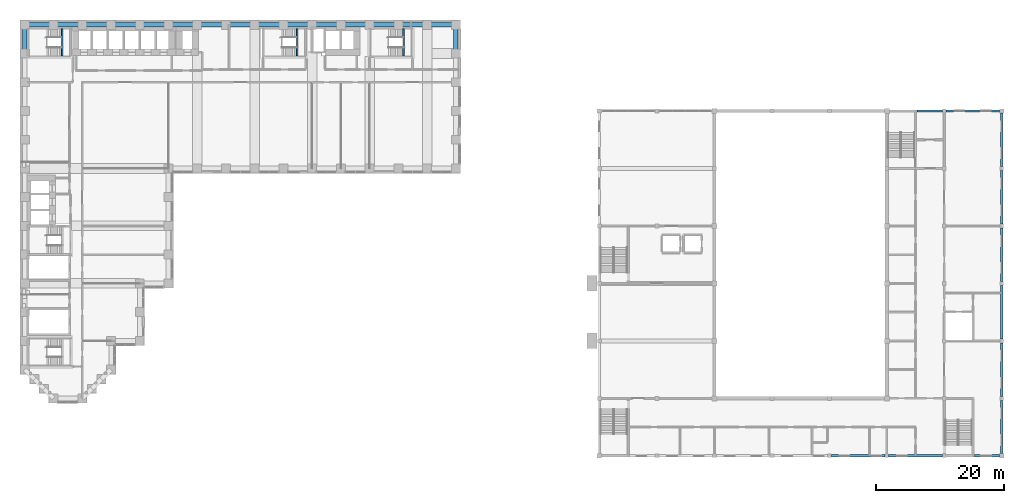
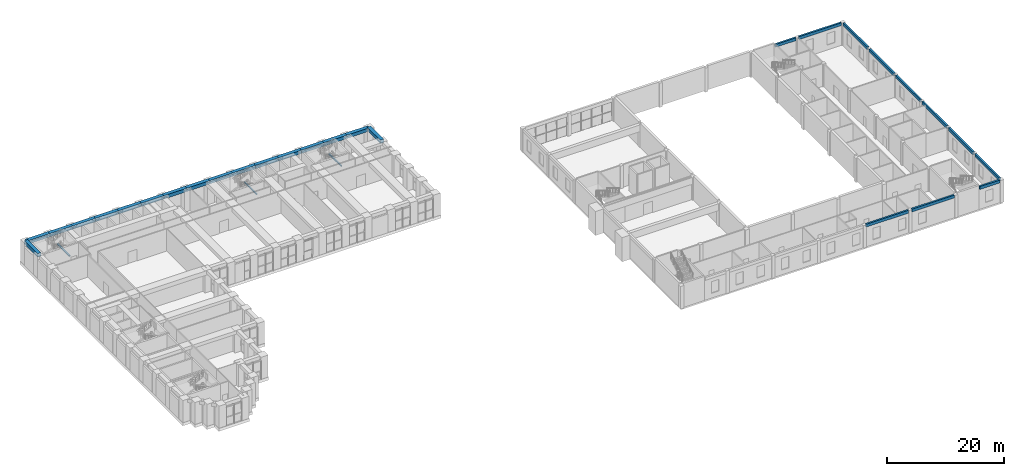
# One storey, part 11 of 30: 31 beams.
"""IFC4 building model written with IfcOpenShell, lengths in metres."""

from ifc_helpers import new_model, si_unit, direction, frame, origin, origin_2d, place, context, subcontext, project, spatial, rectangle, extrude, material, material_profile, profile_set, type_object, element, save


model = new_model("IFC4")

# Units and contexts
model_context = context("Model", 3, precision=1e-05, world=origin(), true_north=direction((0.0, 1.0)))
body_context = subcontext(model_context, "Body", "Model", "MODEL_VIEW")
ifc_project = project(units=[si_unit("LENGTHUNIT", "METRE"), si_unit("AREAUNIT", "SQUARE_METRE"), si_unit("VOLUMEUNIT", "CUBIC_METRE"), si_unit("PLANEANGLEUNIT", "RADIAN"), si_unit("MASSUNIT", "GRAM", prefix="KILO")], contexts=[model_context])

# Site, building, storey
site_placement = place(None, origin())
site = spatial("IfcSite", under=ifc_project, at=site_placement, CompositionType="ELEMENT")
building_placement = place(site_placement, origin())
building = spatial("IfcBuilding", under=site, at=building_placement, Name="Firuza Court", CompositionType="ELEMENT")
storey_placement = place(building_placement, frame((0.0, 0.0, 9.0)))
storey = spatial("IfcBuildingStorey", under=building, at=storey_placement, Name="L01", CompositionType="ELEMENT", Elevation=9.0)

# Beams
ifc_material_1 = material(Name="Concrete C40/50", Category="concrete")
ifc_material_profile_1 = material_profile(ifc_material_1, rectangle(XDim=0.25, YDim=0.25, at=origin_2d()), Name="RC 250x250")
ifc_profile_set_1 = profile_set([ifc_material_profile_1], Name="Concrete C40/50")
beam_type_1 = type_object("IfcBeamType", Name="Landing beam RC 250x250 C40/50", PredefinedType="BEAM", material=ifc_profile_set_1)
for number, where, z_axis, x_axis, name in (
    (1, (42.625, 53.64990234375, 2.175048828125), (0.0, 1.0, 0.0), (-1.0, 0.0, 0.0), "Landing beam S1 L01"),
    (2, (5.824951171875, 53.64990234375, 2.175048828125), (0.0, 1.0, 0.0), (-1.0, 0.0, 0.0), "Landing beam S3 L01"),
    (3, (59.324951171875, 53.64990234375, 2.175048828125), (0.0, 1.0, 0.0), (-1.0, 0.0, 0.0), "Landing beam S4 L01"),
):
    element("IfcBeam", number, at=place(storey_placement, frame(where, z_axis=z_axis, x_axis=x_axis)), inside=storey, type_object=beam_type_1, Name=name, PredefinedType="BEAM", context=body_context, shape_type="SweptSolid", body=[
        extrude(rectangle(XDim=0.25, YDim=0.25, at=origin_2d()), origin(), (0.0, 0.0, 1.0), 4.2001953125),
    ])
ifc_material_2 = material(Name="Concrete C40/50", Category="concrete")
ifc_material_profile_2 = material_profile(ifc_material_2, rectangle(XDim=0.35009765625, YDim=0.60009765625, at=origin_2d()), Name="RC 350X600")
ifc_profile_set_2 = profile_set([ifc_material_profile_2], Name="Concrete C40/50")
beam_type_2 = type_object("IfcBeamType", Name="RC RING BEAM 350X600", PredefinedType="BEAM", material=ifc_profile_set_2)
for number, where, z_axis, x_axis, name in (
    (4, (126.300048828125, -9.0, 4.39990234375), (1.0, 0.0, 0.0), (0.0, 1.0, 0.0), "Edge beam S2.1 L01"),
    (5, (135.300048828125, -9.0, 4.39990234375), (1.0, 0.0, 0.0), (0.0, 1.0, 0.0), "Edge beam S4.1 L01"),
):
    element("IfcBeam", number, at=place(storey_placement, frame(where, z_axis=z_axis, x_axis=x_axis)), inside=storey, type_object=beam_type_2, Name=name, PredefinedType="BEAM", context=body_context, shape_type="SweptSolid", body=[
        extrude(rectangle(XDim=0.35009765625, YDim=0.60009765625, at=origin_2d()), origin(), (0.0, 0.0, 1.0), 8.39990234375),
    ])
beam_1_placement = place(storey_placement, frame((139.699951171875, 45.0, 4.39990234375), z_axis=(1.0, 0.0, 0.0), x_axis=(0.0, 1.0, 0.0)))
element("IfcBeam", 6, at=beam_1_placement, inside=storey, type_object=beam_type_2, Name="Edge beam N5.1 L01", PredefinedType="BEAM", context=body_context, shape_type="SweptSolid", body=[
    extrude(rectangle(XDim=0.35009765625, YDim=0.60009765625, at=origin_2d()), origin(), (0.0, 0.0, 1.0), 4.0),
])
beam_2_placement = place(storey_placement, frame((148.699951171875, -9.0, 4.39990234375), z_axis=(1.0, 0.0, 0.0), x_axis=(0.0, 1.0, 0.0)))
element("IfcBeam", 7, at=beam_2_placement, inside=storey, type_object=beam_type_2, Name="Edge beam S6.1 L01", PredefinedType="BEAM", context=body_context, shape_type="SweptSolid", body=[
    extrude(rectangle(XDim=0.35009765625, YDim=0.60009765625, at=origin_2d()), origin(), (0.0, 0.0, 1.0), 3.949951171875),
])
for number, where, z_axis, x_axis, name in (
    (8, (144.300048828125, 45.0, 4.39990234375), (1.0, 0.0, 0.0), (0.0, 1.0, 0.0), "Edge beam N7.1 L01"),
    (9, (153.0, -8.64990234375, 4.39990234375), (0.0, 1.0, 0.0), (-1.0, 0.0, 0.0), "Edge beam E2.1 L01"),
):
    element("IfcBeam", number, at=place(storey_placement, frame(where, z_axis=z_axis, x_axis=x_axis)), inside=storey, type_object=beam_type_2, Name=name, PredefinedType="BEAM", context=body_context, shape_type="SweptSolid", body=[
        extrude(rectangle(XDim=0.35009765625, YDim=0.60009765625, at=origin_2d()), origin(), (0.0, 0.0, 1.0), 8.349853515625),
    ])
for number, where, z_axis, x_axis, name in (
    (10, (153.0, 0.300048828125, 4.39990234375), (0.0, 1.0, 0.0), (-1.0, 0.0, 0.0), "Edge beam E4.1 L01"),
    (11, (153.0, 9.300048828125, 4.39990234375), (0.0, 1.0, 0.0), (-1.0, 0.0, 0.0), "Edge beam E6.1 L01"),
    (12, (153.0, 18.300048828125, 4.39990234375), (0.0, 1.0, 0.0), (-1.0, 0.0, 0.0), "Edge beam E1.1 L01"),
    (13, (153.0, 27.300048828125, 4.39990234375), (0.0, 1.0, 0.0), (-1.0, 0.0, 0.0), "Edge beam E3.1 L01"),
):
    element("IfcBeam", number, at=place(storey_placement, frame(where, z_axis=z_axis, x_axis=x_axis)), inside=storey, type_object=beam_type_2, Name=name, PredefinedType="BEAM", context=body_context, shape_type="SweptSolid", body=[
        extrude(rectangle(XDim=0.35009765625, YDim=0.60009765625, at=origin_2d()), origin(), (0.0, 0.0, 1.0), 8.39990234375),
    ])
beam_3_placement = place(storey_placement, frame((153.0, 36.300048828125, 4.39990234375), z_axis=(0.0, 1.0, 0.0), x_axis=(-1.0, 0.0, 0.0)))
element("IfcBeam", 14, at=beam_3_placement, inside=storey, type_object=beam_type_2, Name="Edge beam E5.1 L01", PredefinedType="BEAM", context=body_context, shape_type="SweptSolid", body=[
    extrude(rectangle(XDim=0.35009765625, YDim=0.60009765625, at=origin_2d()), origin(), (0.0, 0.0, 1.0), 8.349853515625),
])
ifc_material_3 = material(Name="Concrete C40/50", Category="concrete")
ifc_material_profile_3 = material_profile(ifc_material_3, rectangle(XDim=0.699951171875, YDim=0.699951171875, at=origin_2d()), Name="RC 700x700")
ifc_profile_set_3 = profile_set([ifc_material_profile_3], Name="Concrete C40/50")
beam_type_3 = type_object("IfcBeamType", Name="Spandrel beam RC 700x700 C40/50", PredefinedType="BEAM", material=ifc_profile_set_3)
for number, where, z_axis, x_axis, name in (
    (15, (0.0, 58.5, 4.25), (0.0, -1.0, 0.0), (1.0, 0.0, 0.0), "Spandrel beam SP8 level L02"),
    (16, (4.5, 58.5, 4.25), (-1.0, 0.0, 0.0), (0.0, -1.0, 0.0), "Spandrel beam SP8 level L02"),
    (17, (9.0, 58.5, 4.25), (-1.0, 0.0, 0.0), (0.0, -1.0, 0.0), "Spandrel beam SP8 level L02"),
    (18, (13.5, 58.5, 4.25), (-1.0, 0.0, 0.0), (0.0, -1.0, 0.0), "Spandrel beam SP8 level L02"),
    (19, (18.0, 58.5, 4.25), (-1.0, 0.0, 0.0), (0.0, -1.0, 0.0), "Spandrel beam SP8 level L02"),
    (20, (22.5, 58.5, 4.25), (-1.0, 0.0, 0.0), (0.0, -1.0, 0.0), "Spandrel beam SP8 level L02"),
    (21, (27.0, 58.5, 4.25), (-1.0, 0.0, 0.0), (0.0, -1.0, 0.0), "Spandrel beam SP8 level L02"),
    (22, (31.5, 58.5, 4.25), (-1.0, 0.0, 0.0), (0.0, -1.0, 0.0), "Spandrel beam SP8 level L02"),
    (23, (36.0, 58.5, 4.25), (-1.0, 0.0, 0.0), (0.0, -1.0, 0.0), "Spandrel beam SP8 level L02"),
    (24, (40.5, 58.5, 4.25), (-1.0, 0.0, 0.0), (0.0, -1.0, 0.0), "Spandrel beam SP8 level L02"),
    (25, (45.0, 58.5, 4.25), (-1.0, 0.0, 0.0), (0.0, -1.0, 0.0), "Spandrel beam SP8 level L02"),
    (26, (49.5, 58.5, 4.25), (-1.0, 0.0, 0.0), (0.0, -1.0, 0.0), "Spandrel beam SP8 level L02"),
    (27, (54.0, 58.5, 4.25), (-1.0, 0.0, 0.0), (0.0, -1.0, 0.0), "Spandrel beam SP8 level L02"),
    (28, (58.5, 58.5, 4.25), (-1.0, 0.0, 0.0), (0.0, -1.0, 0.0), "Spandrel beam SP8 level L02"),
    (29, (63.0, 58.5, 4.25), (-1.0, 0.0, 0.0), (0.0, -1.0, 0.0), "Spandrel beam SP8 level L02"),
    (30, (67.5, 54.0, 4.25), (0.0, 1.0, 0.0), (-1.0, 0.0, 0.0), "Spandrel beam SP8 level L02"),
    (31, (67.5, 58.5, 4.25), (-1.0, 0.0, 0.0), (0.0, -1.0, 0.0), "Spandrel beam SP8 level L02"),
):
    element("IfcBeam", number, at=place(storey_placement, frame(where, z_axis=z_axis, x_axis=x_axis)), inside=storey, type_object=beam_type_3, Name=name, PredefinedType="BEAM", context=body_context, shape_type="SweptSolid", body=[
        extrude(rectangle(XDim=0.699951171875, YDim=0.699951171875, at=origin_2d()), origin(), (0.0, 0.0, 1.0), 4.5),
    ])

save(model, "model.ifc")
